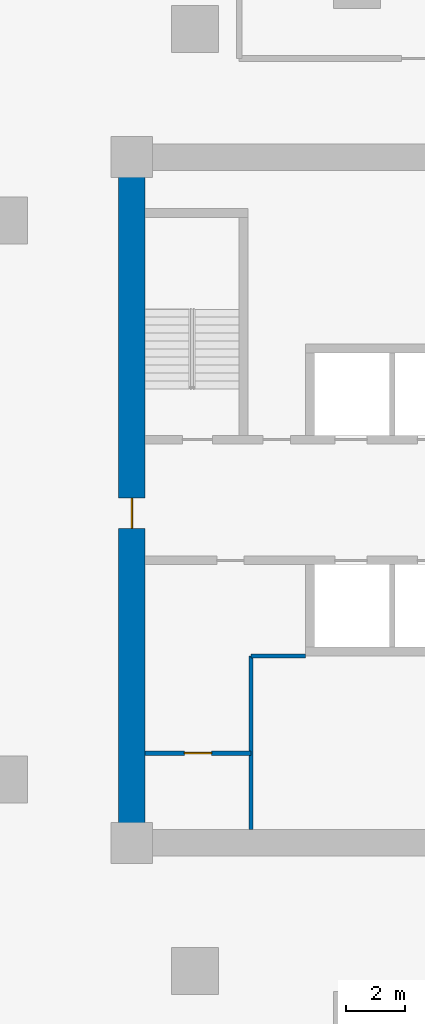
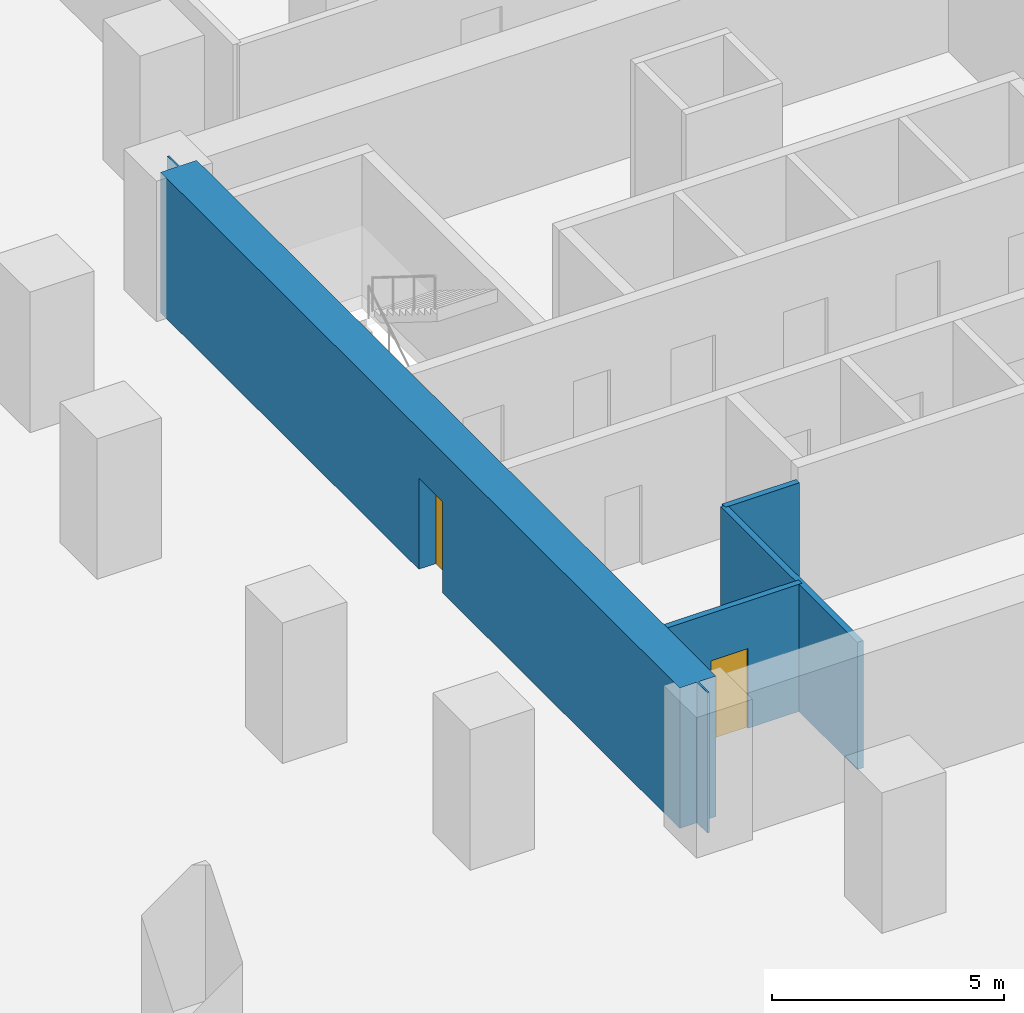
# One storey, part 2 of 9: 4 walls, 2 doors, 2 openings.
"""IFC4 building model written with IfcOpenShell, lengths in metres."""

from ifc_helpers import new_model, si_unit, direction, frame, frame_2d, origin, place, context, subcontext, project, spatial, polyline, rectangle, outline, extrude, material, layer, layer_set, type_object, element, fill, save


model = new_model("IFC4")

# Units and contexts
model_context = context("Model", 3, precision=1e-05, world=origin(), true_north=direction((0.0, 1.0)))
body_context = subcontext(model_context, "Body", "Model", "MODEL_VIEW")
ifc_project = project(units=[si_unit("LENGTHUNIT", "METRE"), si_unit("AREAUNIT", "SQUARE_METRE"), si_unit("VOLUMEUNIT", "CUBIC_METRE"), si_unit("PLANEANGLEUNIT", "RADIAN"), si_unit("MASSUNIT", "GRAM", prefix="KILO")], contexts=[model_context])

# Site, building, storey
site_placement = place(None, origin())
site = spatial("IfcSite", under=ifc_project, at=site_placement, CompositionType="ELEMENT")
building_placement = place(site_placement, origin())
building = spatial("IfcBuilding", under=site, at=building_placement, Name="Torsade Residences", CompositionType="ELEMENT")
storey_placement = place(building_placement, frame((0.0, 0.0, -3.699951171875)))
storey = spatial("IfcBuildingStorey", under=building, at=storey_placement, Name="B1", CompositionType="ELEMENT", Elevation=-3.699951171875)

# Wall, opening, door
ifc_material_1 = material(Name="Concrete 80 MPa", Category="concrete")
ifc_layer_1 = layer(ifc_material_1, 0.89990234375)
ifc_layer_set_1 = layer_set([ifc_layer_1], Name="Concrete 80 MPa")
wall_type_1 = type_object("IfcWallType", Name="CORE WALL 900", PredefinedType="SHEAR", material=ifc_layer_set_1)
wall_1_placement = place(storey_placement, frame((28.35009765625, 41.199951171875, 0.0), z_axis=(0.0, 0.0, 1.0), x_axis=(0.0, -1.0, 0.0)))
wall_1 = element("IfcWall", 1, at=wall_1_placement, inside=storey, type_object=wall_type_1, Name="Core wall W B1", PredefinedType="SHEAR", context=body_context, shape_type="SweptSolid", body=[
    extrude(outline(polyline([(0.0, -0.449951171875), (22.39990234375, -0.449951171875), (22.39990234375, -0.02490234375), (22.849853515625, -0.02490234375), (22.849853515625, 0.02490234375), (22.39990234375, 0.02490234375), (22.39990234375, 0.449951171875), (0.0, 0.449951171875), (0.0, 0.02490234375), (-0.449951171875, 0.02490234375), (-0.449951171875, -0.02490234375), (0.0, -0.02490234375), (0.0, -0.449951171875)])), origin(), (0.0, 0.0, 1.0), 3.699951171875),
])
opening_1_placement = place(wall_1_placement, frame((11.139892578125, 0.0, 0.0)))
opening_1 = element("IfcOpeningElement", 2, at=opening_1_placement, cuts=wall_1, Name="Opening D04", PredefinedType="OPENING", context=body_context, shape_type="SweptSolid", body=[
    extrude(rectangle(XDim=1.02001953125, YDim=2.39990234375, at=frame_2d((0.510009765625, 1.199951171875))), frame((0.0, 0.4599609375, 0.0), z_axis=(0.0, -1.0, 0.0), x_axis=(1.0, 0.0, 0.0)), (0.0, 0.0, 1.0), 0.919921875),
])
ifc_material_2 = material(Name="Steel-framed fire door", Category="steel")
door_type_1 = type_object("IfcDoorType", Name="LOBBY SMOKE DOOR 1020x2400", OperationType="NOTDEFINED", PredefinedType="DOOR", material=ifc_material_2)
door_1_placement = place(opening_1_placement, origin())
door_1 = element("IfcDoor", 3, at=door_1_placement, inside=storey, type_object=door_type_1, Name="Lift lobby door W B1", OperationType="SINGLE_SWING_RIGHT", OverallHeight=2.39990234375, OverallWidth=1.02001953125, PredefinedType="DOOR", context=body_context, shape_type="SweptSolid", body=[
    extrude(rectangle(XDim=1.02001953125, YDim=2.39990234375, at=frame_2d((0.510009765625, 1.199951171875))), frame((0.0, 0.02490234375, 0.0), z_axis=(0.0, -1.0, 0.0), x_axis=(1.0, 0.0, 0.0)), (0.0, 0.0, 1.0), 0.050048828125),
])
fill(opening_1, door_1)

# Walls
ifc_material_3 = material(Name="Reinforced blockwork", Category="masonry")
ifc_layer_2 = layer(ifc_material_3, 0.14990234375)
ifc_layer_set_2 = layer_set([ifc_layer_2], Name="Reinforced blockwork")
wall_type_2 = type_object("IfcWallType", Name="SERVICE ROOM WALL 150", PredefinedType="SOLIDWALL", material=ifc_layer_set_2)
wall_2_placement = place(storey_placement, frame((32.39990234375, 18.800048828125, 0.0), z_axis=(0.0, 0.0, 1.0), x_axis=(0.0, 1.0, 0.0)))
element("IfcWall", 4, at=wall_2_placement, inside=storey, type_object=wall_type_2, Name="Service room wall B1", PredefinedType="SOLIDWALL", context=body_context, shape_type="SweptSolid", body=[
    extrude(rectangle(XDim=5.89990234375, YDim=0.14990234375, at=frame_2d((2.949951171875, 0.0))), origin(), (0.0, 0.0, 1.0), 3.349853515625),
])
wall_3_placement = place(storey_placement, frame((32.39990234375, 24.699951171875, 0.0), z_axis=(0.0, 0.0, 1.0), x_axis=(1.0, 0.0, 0.0)))
element("IfcWall", 5, at=wall_3_placement, inside=storey, type_object=wall_type_2, Name="Service room wall B1", PredefinedType="SOLIDWALL", context=body_context, shape_type="SweptSolid", body=[
    extrude(rectangle(XDim=1.85009765625, YDim=0.14990234375, at=frame_2d((0.925048828125, 0.0))), origin(), (0.0, 0.0, 1.0), 3.349853515625),
])

# Wall, opening, door
wall_4_placement = place(storey_placement, frame((32.39990234375, 21.39990234375, 0.0), z_axis=(0.0, 0.0, 1.0), x_axis=(-1.0, 0.0, 0.0)))
wall_4 = element("IfcWall", 6, at=wall_4_placement, inside=storey, type_object=wall_type_2, Name="Service room wall B1", PredefinedType="SOLIDWALL", context=body_context, shape_type="SweptSolid", body=[
    extrude(rectangle(XDim=3.599853515625, YDim=0.14990234375, at=frame_2d((1.7998046875, 0.0))), origin(), (0.0, 0.0, 1.0), 3.349853515625),
])
opening_2_placement = place(wall_4_placement, frame((1.340087890625, 0.0, 0.0)))
opening_2 = element("IfcOpeningElement", 7, at=opening_2_placement, cuts=wall_4, Name="Opening D06", PredefinedType="OPENING", context=body_context, shape_type="SweptSolid", body=[
    extrude(rectangle(XDim=0.919921875, YDim=2.10009765625, at=frame_2d((0.4599609375, 1.050048828125))), frame((0.0, 0.0849609375, 0.0), z_axis=(0.0, -1.0, 0.0), x_axis=(1.0, 0.0, 0.0)), (0.0, 0.0, 1.0), 0.169921875),
])
ifc_material_4 = material(Name="Steel-framed fire door", Category="steel")
door_type_2 = type_object("IfcDoorType", Name="FIRE DOOR 920", OperationType="NOTDEFINED", PredefinedType="DOOR", material=ifc_material_4)
door_2_placement = place(opening_2_placement, origin())
door_2 = element("IfcDoor", 8, at=door_2_placement, inside=storey, type_object=door_type_2, Name="Door Cleaner store to Building store", OperationType="SINGLE_SWING_LEFT", OverallHeight=2.10009765625, OverallWidth=0.919921875, PredefinedType="DOOR", context=body_context, shape_type="SweptSolid", body=[
    extrude(rectangle(XDim=0.919921875, YDim=2.10009765625, at=frame_2d((0.4599609375, 1.050048828125))), frame((0.0, 0.02490234375, 0.0), z_axis=(0.0, -1.0, 0.0), x_axis=(1.0, 0.0, 0.0)), (0.0, 0.0, 1.0), 0.050048828125),
])
fill(opening_2, door_2)

save(model, "model.ifc")
